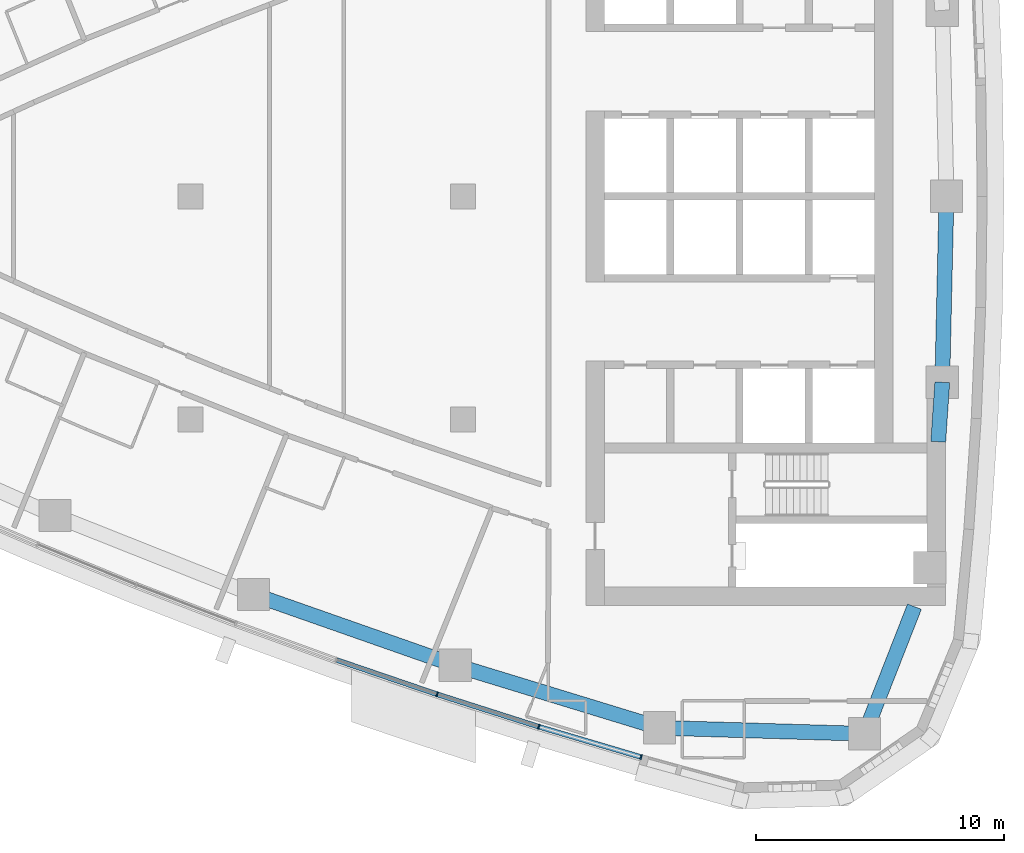
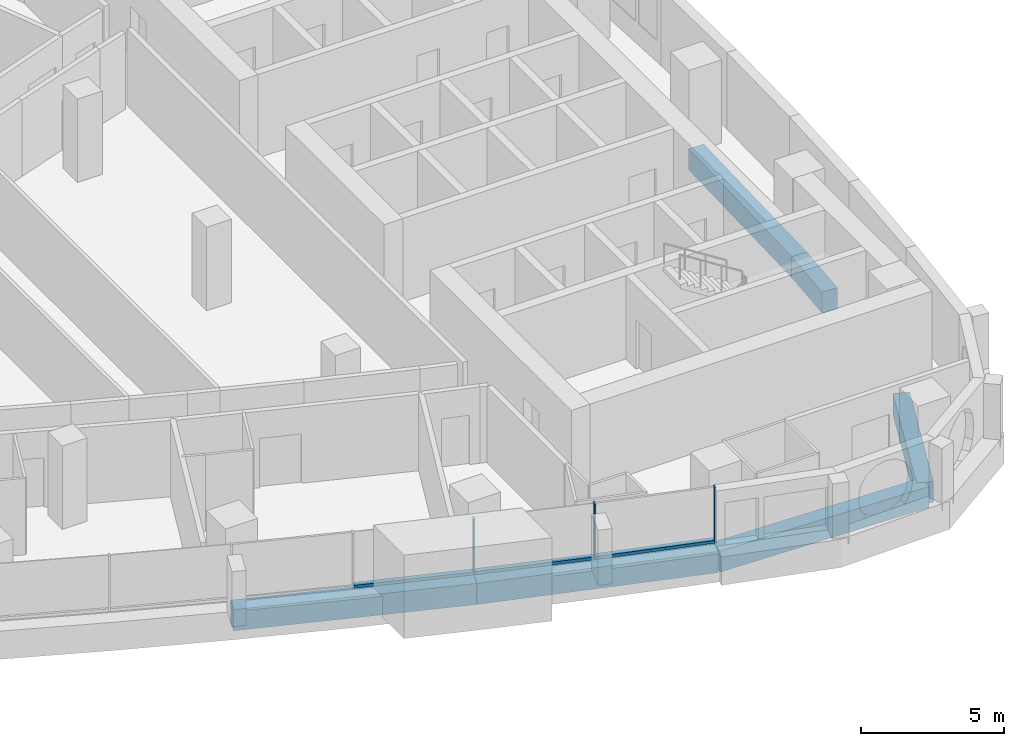
# One storey, part 4 of 17: 6 beams, 6 members, 2 elements without a shape of their own.
"""IFC4 building model written with IfcOpenShell, lengths in metres."""

from ifc_helpers import new_model, si_unit, direction, frame, origin, origin_2d, place, context, subcontext, project, spatial, rectangle, extrude, material, layer, layer_set, material_profile, profile_set, type_object, element, aggregate, save


model = new_model("IFC4")

# Units and contexts
model_context = context("Model", 3, precision=1e-05, world=origin(), true_north=direction((0.0, 1.0)))
body_context = subcontext(model_context, "Body", "Model", "MODEL_VIEW")
ifc_project = project(units=[si_unit("LENGTHUNIT", "METRE"), si_unit("AREAUNIT", "SQUARE_METRE"), si_unit("VOLUMEUNIT", "CUBIC_METRE"), si_unit("PLANEANGLEUNIT", "RADIAN"), si_unit("MASSUNIT", "GRAM", prefix="KILO")], contexts=[model_context])

# Site, building, storey
site_placement = place(None, origin())
site = spatial("IfcSite", under=ifc_project, at=site_placement, CompositionType="ELEMENT")
building_placement = place(site_placement, origin())
building = spatial("IfcBuilding", under=site, at=building_placement, Name="Ostrand Prow Hotel Tower", CompositionType="ELEMENT")
storey_placement = place(building_placement, frame((0.0, 0.0, 196.800048828125)))
storey = spatial("IfcBuildingStorey", under=building, at=storey_placement, Name="L49", CompositionType="ELEMENT", Elevation=196.800048828125)

# Beams
ifc_material_1 = material(Name="Concrete C60/75", Category="concrete")
ifc_material_profile_1 = material_profile(ifc_material_1, rectangle(XDim=0.60009765625, YDim=0.89990234375, at=origin_2d()), Name="RC 600x900")
ifc_profile_set_1 = profile_set([ifc_material_profile_1], Name="Concrete C60/75")
beam_type = type_object("IfcBeamType", Name="Edge beam 600x900 C60/75", PredefinedType="SPANDREL", material=ifc_profile_set_1)
for number, where, z_axis, x_axis, name in (
    (1, (36.547119140625, -16.060791015625, -0.75), (0.943593618681, -0.33110584831, 0.0), (0.33110584831, 0.943593618681, 0.0), "Edge beam S4-S5"),
    (2, (44.6826171875, -18.91552734375, -0.75), (0.956245556413, -0.292565267659, 0.0), (0.292565267659, 0.956245556413, 0.0), "Edge beam S5-S6"),
):
    element("IfcBeam", number, at=place(storey_placement, frame(where, z_axis=z_axis, x_axis=x_axis)), inside=storey, type_object=beam_type, Name=name, PredefinedType="SPANDREL", context=body_context, shape_type="SweptSolid", body=[
        extrude(rectangle(XDim=0.60009765625, YDim=0.89990234375, at=origin_2d()), origin(), (0.0, 0.0, 1.0), 8.621826171875),
    ])
beam_1_placement = place(storey_placement, frame((52.92724609375, -21.43798828125, -0.75), z_axis=(0.999575901438, -0.029120735993, 0.0), x_axis=(0.029120735993, 0.999575901438, 0.0)))
element("IfcBeam", 3, at=beam_1_placement, inside=storey, type_object=beam_type, Name="Edge beam S6-SE", PredefinedType="SPANDREL", context=body_context, shape_type="SweptSolid", body=[
    extrude(rectangle(XDim=0.60009765625, YDim=0.89990234375, at=origin_2d()), origin(), (0.0, 0.0, 1.0), 8.274658203125),
])
beam_2_placement = place(storey_placement, frame((61.198486328125, -21.678955078125, -0.75), z_axis=(0.364802049817, 0.931085100541, 0.0), x_axis=(-0.931085100541, 0.364802049817, 0.0)))
element("IfcBeam", 4, at=beam_2_placement, inside=storey, type_object=beam_type, Name="Edge beam SE-B1", PredefinedType="SPANDREL", context=body_context, shape_type="SweptSolid", body=[
    extrude(rectangle(XDim=0.60009765625, YDim=0.89990234375, at=origin_2d()), origin(), (0.0, 0.0, 1.0), 5.508544921875),
])
beam_3_placement = place(storey_placement, frame((64.167236328125, -9.89990234375, -0.75), z_axis=(0.067778284608, 0.997700408006, 0.0), x_axis=(-0.997700408006, 0.067778284608, 0.0)))
element("IfcBeam", 5, at=beam_3_placement, inside=storey, type_object=beam_type, Name="Edge beam B1-B2", PredefinedType="SPANDREL", context=body_context, shape_type="SweptSolid", body=[
    extrude(rectangle(XDim=0.60009765625, YDim=0.89990234375, at=origin_2d()), origin(), (0.0, 0.0, 1.0), 2.40625),
])
beam_4_placement = place(storey_placement, frame((64.330322265625, -7.499267578125, -0.75), z_axis=(0.022620118241, 0.999744132391, 0.0), x_axis=(-0.999744132391, 0.022620118241, 0.0)))
element("IfcBeam", 6, at=beam_4_placement, inside=storey, type_object=beam_type, Name="Edge beam B2-B3", PredefinedType="SPANDREL", context=body_context, shape_type="SweptSolid", body=[
    extrude(rectangle(XDim=0.60009765625, YDim=0.89990234375, at=origin_2d()), origin(), (0.0, 0.0, 1.0), 7.501220703125),
])

# Curtain wall, member
ifc_material_2 = material(Name="Insulated glass in bronze anodised frame", Category="glass")
ifc_layer = layer(ifc_material_2, 0.199951171875)
ifc_layer_set = layer_set([ifc_layer], Name="Insulated glass in bronze anodised frame")
curtain_wall_type = type_object("IfcCurtainWallType", Name="Strip curtain wall, fritted glass over bronze spandrel", PredefinedType="NOTDEFINED", material=ifc_layer_set)
curtain_wall_1_placement = place(storey_placement, origin())
curtain_wall_1 = element("IfcCurtainWall", 7, at=curtain_wall_1_placement, inside=storey, type_object=curtain_wall_type, Name="CW1 run CWS4", PredefinedType="NOTDEFINED")
ifc_material_3 = material(Name="Bronze anodised aluminium", Category="aluminium")
ifc_material_profile_2 = material_profile(ifc_material_3, rectangle(XDim=0.199951171875, YDim=0.06005859375, at=origin_2d()), Name="Mullion 60x200 bronze anodised aluminium")
ifc_profile_set_2 = profile_set([ifc_material_profile_2], Name="Bronze anodised aluminium")
member_type_1 = type_object("IfcMemberType", Name="Mullion 60x200 bronze anodised aluminium", PredefinedType="MULLION", material=ifc_profile_set_2)
member_1_placement = place(storey_placement, frame((43.95361328125, -20.086669921875, 0.89990234375), z_axis=(0.0, 0.0, 1.0), x_axis=(0.322908332404, 0.946430245113, 0.0)))
member_1 = element("IfcMember", 8, at=member_1_placement, type_object=member_type_1, Name="CW1 mullion 3", PredefinedType="MULLION", context=body_context, shape_type="SweptSolid", body=[
    extrude(rectangle(XDim=0.199951171875, YDim=0.06005859375, at=origin_2d()), origin(), (0.0, 0.0, 1.0), 2.35009765625),
])

# Curtain wall, members
curtain_wall_2_placement = place(storey_placement, origin())
curtain_wall_2 = element("IfcCurtainWall", 9, at=curtain_wall_2_placement, inside=storey, type_object=curtain_wall_type, Name="CW1 run CWS5", PredefinedType="NOTDEFINED")
member_2_placement = place(storey_placement, frame((48.055419921875, -21.39453125, 0.89990234375), z_axis=(0.0, 0.0, 1.0), x_axis=(0.284544113619, 0.958662947758, 0.0)))
member_2 = element("IfcMember", 10, at=member_2_placement, type_object=member_type_1, Name="CW1 mullion 2", PredefinedType="MULLION", context=body_context, shape_type="SweptSolid", body=[
    extrude(rectangle(XDim=0.199951171875, YDim=0.06005859375, at=origin_2d()), origin(), (0.0, 0.0, 1.0), 2.35009765625),
])
member_3_placement = place(storey_placement, frame((52.182373046875, -22.619384765625, 0.89990234375), z_axis=(0.0, 0.0, 1.0), x_axis=(0.284544113619, 0.958662947758, 0.0)))
member_3 = element("IfcMember", 11, at=member_3_placement, type_object=member_type_1, Name="CW1 mullion 3", PredefinedType="MULLION", context=body_context, shape_type="SweptSolid", body=[
    extrude(rectangle(XDim=0.199951171875, YDim=0.06005859375, at=origin_2d()), origin(), (0.0, 0.0, 1.0), 2.35009765625),
])

# Member
ifc_material_4 = material(Name="Bronze anodised aluminium", Category="aluminium")
ifc_material_profile_3 = material_profile(ifc_material_4, rectangle(XDim=0.199951171875, YDim=0.1201171875, at=origin_2d()), Name="Transom 120x200 bronze anodised aluminium")
ifc_profile_set_3 = profile_set([ifc_material_profile_3], Name="Bronze anodised aluminium")
member_type_2 = type_object("IfcMemberType", Name="Transom 120x200 bronze anodised aluminium", PredefinedType="USERDEFINED", material=ifc_profile_set_3)
member_4_placement = place(storey_placement, frame((39.90771484375, -18.706298828125, 0.9599609375), z_axis=(0.946422327772, -0.322931536852, 0.0), x_axis=(0.322931536852, 0.946422327772, 0.0)))
member_4 = element("IfcMember", 12, at=member_4_placement, type_object=member_type_2, Name="CW1 transom 2.1", ObjectType="TRANSOM", PredefinedType="USERDEFINED", context=body_context, shape_type="SweptSolid", body=[
    extrude(rectangle(XDim=0.199951171875, YDim=0.1201171875, at=origin_2d()), origin(), (0.0, 0.0, 1.0), 4.2451171875),
])

aggregate(curtain_wall_1, [member_1, member_4])

member_5_placement = place(storey_placement, frame((43.982421875, -20.095947265625, 0.9599609375), z_axis=(0.952737512605, -0.303794720289, 0.0), x_axis=(0.303794720289, 0.952737512605, 0.0)))
member_5 = element("IfcMember", 13, at=member_5_placement, type_object=member_type_2, Name="CW1 transom 1.1", ObjectType="TRANSOM", PredefinedType="USERDEFINED", context=body_context, shape_type="SweptSolid", body=[
    extrude(rectangle(XDim=0.199951171875, YDim=0.1201171875, at=origin_2d()), origin(), (0.0, 0.0, 1.0), 4.244873046875),
])

member_6_placement = place(storey_placement, frame((48.083984375, -21.403076171875, 0.9599609375), z_axis=(0.958661084062, -0.284550392558, 0.0), x_axis=(0.284550392558, 0.958661084062, 0.0)))
member_6 = element("IfcMember", 14, at=member_6_placement, type_object=member_type_2, Name="CW1 transom 2.1", ObjectType="TRANSOM", PredefinedType="USERDEFINED", context=body_context, shape_type="SweptSolid", body=[
    extrude(rectangle(XDim=0.199951171875, YDim=0.1201171875, at=origin_2d()), origin(), (0.0, 0.0, 1.0), 4.245361328125),
])

aggregate(curtain_wall_2, [member_2, member_3, member_5, member_6])

save(model, "model.ifc")
